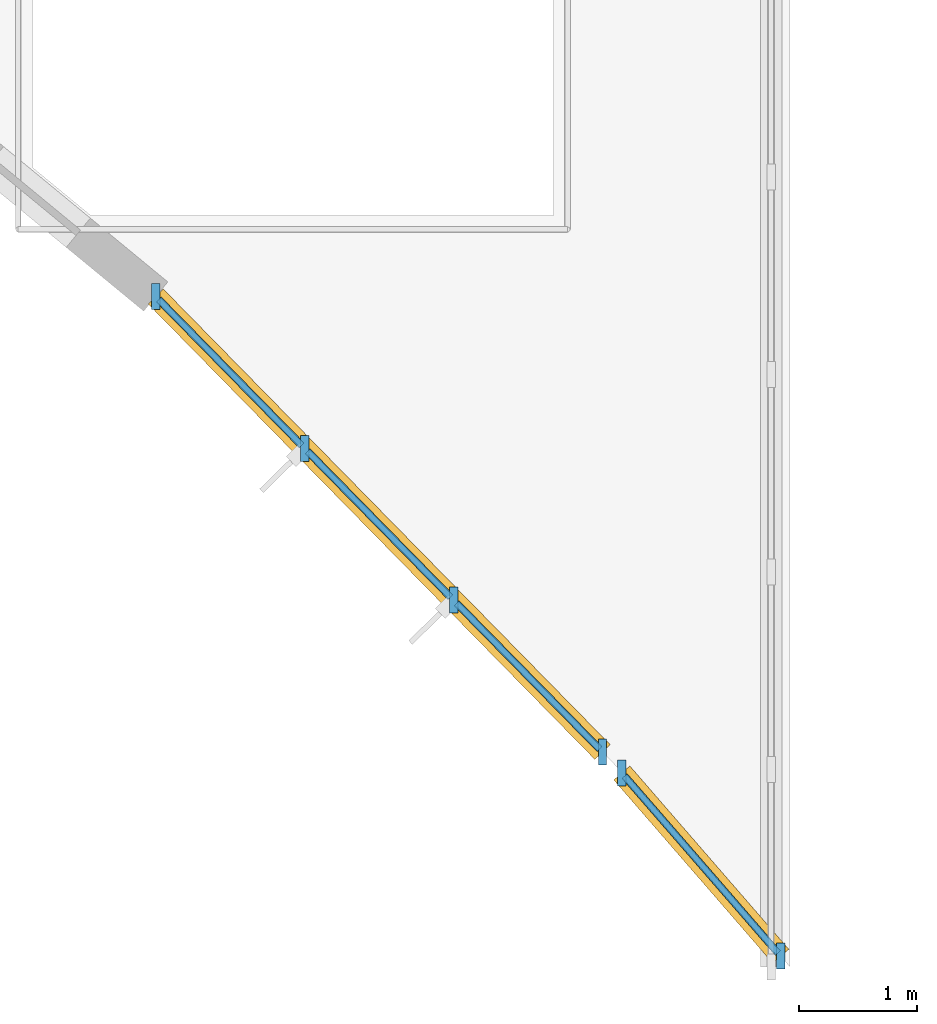
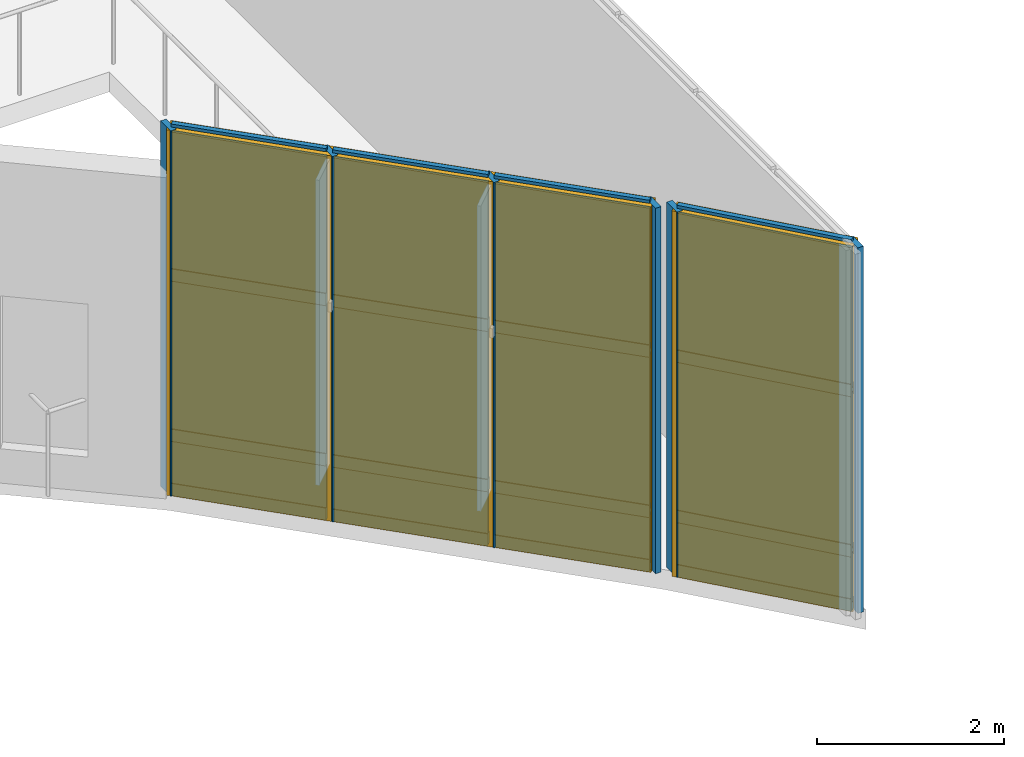
# One storey, part 76 of 104: 22 members, 12 plates, 2 curtain walls.
"""IFC4 building model written with IfcOpenShell, lengths in metres."""

from ifc_helpers import new_model, si_unit, direction, frame, frame_2d, origin, origin_2d, place, context, subcontext, project, spatial, rectangle, extrude, material, layer, layer_set, material_profile, profile_set, type_object, element, aggregate, save


model = new_model("IFC4")

# Units and contexts
model_context = context("Model", 3, precision=1e-05, world=origin(), true_north=direction((0.0, 1.0)))
body_context = subcontext(model_context, "Body", "Model", "MODEL_VIEW")
ifc_project = project(units=[si_unit("LENGTHUNIT", "METRE"), si_unit("AREAUNIT", "SQUARE_METRE"), si_unit("VOLUMEUNIT", "CUBIC_METRE"), si_unit("PLANEANGLEUNIT", "RADIAN"), si_unit("MASSUNIT", "GRAM", prefix="KILO")], contexts=[model_context])

# Member
ifc_material_1 = material(Name="Anodised Bronze Aluminium 6063-T6", Category="aluminium")
ifc_material_profile_1 = material_profile(ifc_material_1, rectangle(XDim=0.070068359375, YDim=0.219970703125, at=origin_2d()), Name="ALU MULLION 70x220")
ifc_profile_set_1 = profile_set([ifc_material_profile_1], Name="Anodised Bronze Aluminium 6063-T6")
member_type_1 = type_object("IfcMemberType", Name="Curtain-Wall Heavy Mullion 70x220", PredefinedType="MULLION", material=ifc_profile_set_1)
site_placement = place(None, origin())
building_placement = place(site_placement, origin())
storey_placement = place(building_placement, frame((0.0, 0.0, 9.0)))
member_1_placement = place(storey_placement, frame((111.641845703125, 7.11328125, 0.0), z_axis=(0.0, 0.0, 1.0), x_axis=(1.0, 0.0, 0.0)))
member_1 = element("IfcMember", 1, at=member_1_placement, type_object=member_type_1, Name="Mullion CWM-02 CW-V5-CRN-L02-C17-M01", PredefinedType="MULLION", context=body_context, shape_type="SweptSolid", body=[
    extrude(rectangle(XDim=0.070068359375, YDim=0.219970703125, at=origin_2d()), origin(), (0.0, 0.0, 1.0), 4.780029296875),
])

member_2_placement = place(storey_placement, frame((112.89990234375, 5.830810546875, 0.0), z_axis=(0.0, 0.0, 1.0), x_axis=(1.0, 0.0, 0.0)))
member_2 = element("IfcMember", 2, at=member_2_placement, type_object=member_type_1, Name="Mullion CWM-02 CW-V5-CRN-L02-C17-M02", PredefinedType="MULLION", context=body_context, shape_type="SweptSolid", body=[
    extrude(rectangle(XDim=0.070068359375, YDim=0.219970703125, at=origin_2d()), origin(), (0.0, 0.0, 1.0), 4.780029296875),
])

member_3_placement = place(storey_placement, frame((114.157958984375, 4.548095703125, 0.0), z_axis=(0.0, 0.0, 1.0), x_axis=(1.0, 0.0, 0.0)))
member_3 = element("IfcMember", 3, at=member_3_placement, type_object=member_type_1, Name="Mullion CWM-02 CW-V5-CRN-L02-C17-M03", PredefinedType="MULLION", context=body_context, shape_type="SweptSolid", body=[
    extrude(rectangle(XDim=0.070068359375, YDim=0.219970703125, at=origin_2d()), origin(), (0.0, 0.0, 1.0), 4.780029296875),
])

member_4_placement = place(storey_placement, frame((115.416015625, 3.265380859375, 0.0), z_axis=(0.0, 0.0, 1.0), x_axis=(1.0, 0.0, 0.0)))
member_4 = element("IfcMember", 4, at=member_4_placement, type_object=member_type_1, Name="Mullion CWM-02 CW-V5-CRN-L02-C17-M04", PredefinedType="MULLION", context=body_context, shape_type="SweptSolid", body=[
    extrude(rectangle(XDim=0.070068359375, YDim=0.219970703125, at=origin_2d()), origin(), (0.0, 0.0, 1.0), 4.780029296875),
])

member_5_placement = place(storey_placement, frame((115.57861328125, 3.089111328125, 0.0), z_axis=(0.0, 0.0, 1.0), x_axis=(1.0, 0.0, 0.0)))
member_5 = element("IfcMember", 5, at=member_5_placement, type_object=member_type_1, Name="Mullion CWM-02 CW-V5-CRN-L02-C18-M01", PredefinedType="MULLION", context=body_context, shape_type="SweptSolid", body=[
    extrude(rectangle(XDim=0.070068359375, YDim=0.219970703125, at=origin_2d()), origin(), (0.0, 0.0, 1.0), 4.780029296875),
])

member_6_placement = place(storey_placement, frame((116.92138671875, 1.540771484375, 0.0), z_axis=(0.0, 0.0, 1.0), x_axis=(1.0, 0.0, 0.0)))
member_6 = element("IfcMember", 6, at=member_6_placement, type_object=member_type_1, Name="Mullion CWM-02 CW-V5-CRN-L02-C18-M02", PredefinedType="MULLION", context=body_context, shape_type="SweptSolid", body=[
    extrude(rectangle(XDim=0.070068359375, YDim=0.219970703125, at=origin_2d()), origin(), (0.0, 0.0, 1.0), 4.780029296875),
])

ifc_material_profile_2 = material_profile(ifc_material_1, rectangle(XDim=0.06005859375, YDim=0.159912109375, at=origin_2d()), Name="ALU TRANSOM 60x160")
ifc_profile_set_2 = profile_set([ifc_material_profile_2], Name="Anodised Bronze Aluminium 6063-T6")
member_type_2 = type_object("IfcMemberType", Name="Curtain-Wall Heavy Transom 60x160", PredefinedType="USERDEFINED", material=ifc_profile_set_2)
member_7_placement = place(storey_placement, frame((111.666259765625, 7.08837890625, 0.0400390625), z_axis=(0.700287657852, -0.713860768119, 0.0), x_axis=(0.713860768119, 0.700287657852, 0.0)))
member_7 = element("IfcMember", 7, at=member_7_placement, type_object=member_type_2, Name="Transom CWT-02 CW-V5-CRN-L02-C17-T01.1", ObjectType="TRANSOM", PredefinedType="USERDEFINED", context=body_context, shape_type="SweptSolid", body=[
    extrude(rectangle(XDim=0.06005859375, YDim=0.159912109375, at=origin_2d()), origin(), (0.0, 0.0, 1.0), 1.726806640625),
])

member_8_placement = place(storey_placement, frame((111.666259765625, 7.08837890625, 0.75), z_axis=(0.700287657852, -0.713860768119, 0.0), x_axis=(0.713860768119, 0.700287657852, 0.0)))
member_8 = element("IfcMember", 8, at=member_8_placement, type_object=member_type_2, Name="Transom CWT-02 CW-V5-CRN-L02-C17-T01.2", ObjectType="TRANSOM", PredefinedType="USERDEFINED", context=body_context, shape_type="SweptSolid", body=[
    extrude(rectangle(XDim=0.06005859375, YDim=0.159912109375, at=origin_2d()), origin(), (0.0, 0.0, 1.0), 1.726806640625),
])

member_9_placement = place(storey_placement, frame((111.666259765625, 7.08837890625, 2.845703125), z_axis=(0.700287657852, -0.713860768119, 0.0), x_axis=(0.713860768119, 0.700287657852, 0.0)))
member_9 = element("IfcMember", 9, at=member_9_placement, type_object=member_type_2, Name="Transom CWT-02 CW-V5-CRN-L02-C17-T01.3", ObjectType="TRANSOM", PredefinedType="USERDEFINED", context=body_context, shape_type="SweptSolid", body=[
    extrude(rectangle(XDim=0.06005859375, YDim=0.159912109375, at=origin_2d()), origin(), (0.0, 0.0, 1.0), 1.726806640625),
])

member_10_placement = place(storey_placement, frame((111.666259765625, 7.08837890625, 4.739990234375), z_axis=(0.700287657852, -0.713860768119, 0.0), x_axis=(0.713860768119, 0.700287657852, 0.0)))
member_10 = element("IfcMember", 10, at=member_10_placement, type_object=member_type_2, Name="Transom CWT-02 CW-V5-CRN-L02-C17-T01.4", ObjectType="TRANSOM", PredefinedType="USERDEFINED", context=body_context, shape_type="SweptSolid", body=[
    extrude(rectangle(XDim=0.06005859375, YDim=0.159912109375, at=origin_2d()), origin(), (0.0, 0.0, 1.0), 1.726806640625),
])

member_11_placement = place(storey_placement, frame((112.92431640625, 5.8056640625, 0.0400390625), z_axis=(0.700215596953, -0.71393145174, 0.0), x_axis=(0.71393145174, 0.700215596953, 0.0)))
member_11 = element("IfcMember", 11, at=member_11_placement, type_object=member_type_2, Name="Transom CWT-02 CW-V5-CRN-L02-C17-T02.1", ObjectType="TRANSOM", PredefinedType="USERDEFINED", context=body_context, shape_type="SweptSolid", body=[
    extrude(rectangle(XDim=0.06005859375, YDim=0.159912109375, at=origin_2d()), origin(), (0.0, 0.0, 1.0), 1.7265625),
])

member_12_placement = place(storey_placement, frame((112.92431640625, 5.8056640625, 0.75), z_axis=(0.700215596953, -0.71393145174, 0.0), x_axis=(0.71393145174, 0.700215596953, 0.0)))
member_12 = element("IfcMember", 12, at=member_12_placement, type_object=member_type_2, Name="Transom CWT-02 CW-V5-CRN-L02-C17-T02.2", ObjectType="TRANSOM", PredefinedType="USERDEFINED", context=body_context, shape_type="SweptSolid", body=[
    extrude(rectangle(XDim=0.06005859375, YDim=0.159912109375, at=origin_2d()), origin(), (0.0, 0.0, 1.0), 1.7265625),
])

member_13_placement = place(storey_placement, frame((112.92431640625, 5.8056640625, 2.845703125), z_axis=(0.700215596953, -0.71393145174, 0.0), x_axis=(0.71393145174, 0.700215596953, 0.0)))
member_13 = element("IfcMember", 13, at=member_13_placement, type_object=member_type_2, Name="Transom CWT-02 CW-V5-CRN-L02-C17-T02.3", ObjectType="TRANSOM", PredefinedType="USERDEFINED", context=body_context, shape_type="SweptSolid", body=[
    extrude(rectangle(XDim=0.06005859375, YDim=0.159912109375, at=origin_2d()), origin(), (0.0, 0.0, 1.0), 1.7265625),
])

member_14_placement = place(storey_placement, frame((112.92431640625, 5.8056640625, 4.739990234375), z_axis=(0.700215596953, -0.71393145174, 0.0), x_axis=(0.71393145174, 0.700215596953, 0.0)))
member_14 = element("IfcMember", 14, at=member_14_placement, type_object=member_type_2, Name="Transom CWT-02 CW-V5-CRN-L02-C17-T02.4", ObjectType="TRANSOM", PredefinedType="USERDEFINED", context=body_context, shape_type="SweptSolid", body=[
    extrude(rectangle(XDim=0.06005859375, YDim=0.159912109375, at=origin_2d()), origin(), (0.0, 0.0, 1.0), 1.7265625),
])

member_15_placement = place(storey_placement, frame((114.182373046875, 4.523193359375, 0.0400390625), z_axis=(0.700287657852, -0.713860768119, 0.0), x_axis=(0.713860768119, 0.700287657852, 0.0)))
member_15 = element("IfcMember", 15, at=member_15_placement, type_object=member_type_2, Name="Transom CWT-02 CW-V5-CRN-L02-C17-T03.1", ObjectType="TRANSOM", PredefinedType="USERDEFINED", context=body_context, shape_type="SweptSolid", body=[
    extrude(rectangle(XDim=0.06005859375, YDim=0.159912109375, at=origin_2d()), origin(), (0.0, 0.0, 1.0), 1.726806640625),
])

member_16_placement = place(storey_placement, frame((114.182373046875, 4.523193359375, 0.75), z_axis=(0.700287657852, -0.713860768119, 0.0), x_axis=(0.713860768119, 0.700287657852, 0.0)))
member_16 = element("IfcMember", 16, at=member_16_placement, type_object=member_type_2, Name="Transom CWT-02 CW-V5-CRN-L02-C17-T03.2", ObjectType="TRANSOM", PredefinedType="USERDEFINED", context=body_context, shape_type="SweptSolid", body=[
    extrude(rectangle(XDim=0.06005859375, YDim=0.159912109375, at=origin_2d()), origin(), (0.0, 0.0, 1.0), 1.726806640625),
])

member_17_placement = place(storey_placement, frame((114.182373046875, 4.523193359375, 2.845703125), z_axis=(0.700287657852, -0.713860768119, 0.0), x_axis=(0.713860768119, 0.700287657852, 0.0)))
member_17 = element("IfcMember", 17, at=member_17_placement, type_object=member_type_2, Name="Transom CWT-02 CW-V5-CRN-L02-C17-T03.3", ObjectType="TRANSOM", PredefinedType="USERDEFINED", context=body_context, shape_type="SweptSolid", body=[
    extrude(rectangle(XDim=0.06005859375, YDim=0.159912109375, at=origin_2d()), origin(), (0.0, 0.0, 1.0), 1.726806640625),
])

member_18_placement = place(storey_placement, frame((114.182373046875, 4.523193359375, 4.739990234375), z_axis=(0.700287657852, -0.713860768119, 0.0), x_axis=(0.713860768119, 0.700287657852, 0.0)))
member_18 = element("IfcMember", 18, at=member_18_placement, type_object=member_type_2, Name="Transom CWT-02 CW-V5-CRN-L02-C17-T03.4", ObjectType="TRANSOM", PredefinedType="USERDEFINED", context=body_context, shape_type="SweptSolid", body=[
    extrude(rectangle(XDim=0.06005859375, YDim=0.159912109375, at=origin_2d()), origin(), (0.0, 0.0, 1.0), 1.726806640625),
])

member_19_placement = place(storey_placement, frame((115.6015625, 3.062744140625, 0.0400390625), z_axis=(0.655127718536, -0.755518148297, 0.0), x_axis=(0.755518148297, 0.655127718536, 0.0)))
member_19 = element("IfcMember", 19, at=member_19_placement, type_object=member_type_2, Name="Transom CWT-02 CW-V5-CRN-L02-C18-T01.1", ObjectType="TRANSOM", PredefinedType="USERDEFINED", context=body_context, shape_type="SweptSolid", body=[
    extrude(rectangle(XDim=0.06005859375, YDim=0.159912109375, at=origin_2d()), origin(), (0.0, 0.0, 1.0), 1.9794921875),
])

member_20_placement = place(storey_placement, frame((115.6015625, 3.062744140625, 0.75), z_axis=(0.655127718536, -0.755518148297, 0.0), x_axis=(0.755518148297, 0.655127718536, 0.0)))
member_20 = element("IfcMember", 20, at=member_20_placement, type_object=member_type_2, Name="Transom CWT-02 CW-V5-CRN-L02-C18-T01.2", ObjectType="TRANSOM", PredefinedType="USERDEFINED", context=body_context, shape_type="SweptSolid", body=[
    extrude(rectangle(XDim=0.06005859375, YDim=0.159912109375, at=origin_2d()), origin(), (0.0, 0.0, 1.0), 1.9794921875),
])

member_21_placement = place(storey_placement, frame((115.6015625, 3.062744140625, 2.845703125), z_axis=(0.655127718536, -0.755518148297, 0.0), x_axis=(0.755518148297, 0.655127718536, 0.0)))
member_21 = element("IfcMember", 21, at=member_21_placement, type_object=member_type_2, Name="Transom CWT-02 CW-V5-CRN-L02-C18-T01.3", ObjectType="TRANSOM", PredefinedType="USERDEFINED", context=body_context, shape_type="SweptSolid", body=[
    extrude(rectangle(XDim=0.06005859375, YDim=0.159912109375, at=origin_2d()), origin(), (0.0, 0.0, 1.0), 1.9794921875),
])

member_22_placement = place(storey_placement, frame((115.6015625, 3.062744140625, 4.739990234375), z_axis=(0.655127718536, -0.755518148297, 0.0), x_axis=(0.755518148297, 0.655127718536, 0.0)))
member_22 = element("IfcMember", 22, at=member_22_placement, type_object=member_type_2, Name="Transom CWT-02 CW-V5-CRN-L02-C18-T01.4", ObjectType="TRANSOM", PredefinedType="USERDEFINED", context=body_context, shape_type="SweptSolid", body=[
    extrude(rectangle(XDim=0.06005859375, YDim=0.159912109375, at=origin_2d()), origin(), (0.0, 0.0, 1.0), 1.9794921875),
])

# Plate
ifc_material_2 = material(Name="Double Low-E Acoustic Laminated Glass", Category="glass")
ifc_layer_1 = layer(ifc_material_2, 0.0439453125, Name="Double Low-E Acoustic Laminated Glass")
ifc_layer_set_1 = layer_set([ifc_layer_1], Name="Double Low-E Acoustic Laminated Glass")
plate_type_1 = type_object("IfcPlateType", Name="Acoustic Laminated Low-E Glazing Unit 44", PredefinedType="CURTAIN_PANEL", material=ifc_layer_set_1)
plate_1_placement = place(storey_placement, frame((112.270751953125, 6.471923828125, 0.780029296875), z_axis=(0.0, 0.0, 1.0), x_axis=(0.700246698398, -0.713900946479, 0.0)))
plate_1 = element("IfcPlate", 23, at=plate_1_placement, type_object=plate_type_1, Name="Curtain Panel CWP-01 CW-V5-CRN-L02-C17-P01.2", PredefinedType="CURTAIN_PANEL", context=body_context, shape_type="SweptSolid", body=[
    extrude(rectangle(XDim=1.7265625, YDim=0.0439453125, at=origin_2d()), origin(), (0.0, 0.0, 1.0), 2.03564453125),
])

plate_2_placement = place(storey_placement, frame((112.270751953125, 6.471923828125, 2.87548828125), z_axis=(0.0, 0.0, 1.0), x_axis=(0.700246698398, -0.713900946479, 0.0)))
plate_2 = element("IfcPlate", 24, at=plate_2_placement, type_object=plate_type_1, Name="Curtain Panel CWP-01 CW-V5-CRN-L02-C17-P01.3", PredefinedType="CURTAIN_PANEL", context=body_context, shape_type="SweptSolid", body=[
    extrude(rectangle(XDim=1.7265625, YDim=0.0439453125, at=origin_2d()), origin(), (0.0, 0.0, 1.0), 1.83447265625),
])

plate_3_placement = place(storey_placement, frame((113.52880859375, 5.189453125, 0.780029296875), z_axis=(0.0, 0.0, 1.0), x_axis=(0.700246698398, -0.713900946479, 0.0)))
plate_3 = element("IfcPlate", 25, at=plate_3_placement, type_object=plate_type_1, Name="Curtain Panel CWP-01 CW-V5-CRN-L02-C17-P02.2", PredefinedType="CURTAIN_PANEL", context=body_context, shape_type="SweptSolid", body=[
    extrude(rectangle(XDim=1.7265625, YDim=0.0439453125, at=origin_2d()), origin(), (0.0, 0.0, 1.0), 2.03564453125),
])

plate_4_placement = place(storey_placement, frame((113.52880859375, 5.189453125, 2.87548828125), z_axis=(0.0, 0.0, 1.0), x_axis=(0.700246698398, -0.713900946479, 0.0)))
plate_4 = element("IfcPlate", 26, at=plate_4_placement, type_object=plate_type_1, Name="Curtain Panel CWP-01 CW-V5-CRN-L02-C17-P02.3", PredefinedType="CURTAIN_PANEL", context=body_context, shape_type="SweptSolid", body=[
    extrude(rectangle(XDim=1.7265625, YDim=0.0439453125, at=origin_2d()), origin(), (0.0, 0.0, 1.0), 1.83447265625),
])

plate_5_placement = place(storey_placement, frame((114.787109375, 3.90673828125, 0.780029296875), z_axis=(0.0, 0.0, 1.0), x_axis=(0.700246698398, -0.713900946479, 0.0)))
plate_5 = element("IfcPlate", 27, at=plate_5_placement, type_object=plate_type_1, Name="Curtain Panel CWP-01 CW-V5-CRN-L02-C17-P03.2", PredefinedType="CURTAIN_PANEL", context=body_context, shape_type="SweptSolid", body=[
    extrude(rectangle(XDim=1.7265625, YDim=0.0439453125, at=origin_2d()), origin(), (0.0, 0.0, 1.0), 2.03564453125),
])

plate_6_placement = place(storey_placement, frame((114.787109375, 3.90673828125, 2.87548828125), z_axis=(0.0, 0.0, 1.0), x_axis=(0.700246698398, -0.713900946479, 0.0)))
plate_6 = element("IfcPlate", 28, at=plate_6_placement, type_object=plate_type_1, Name="Curtain Panel CWP-01 CW-V5-CRN-L02-C17-P03.3", PredefinedType="CURTAIN_PANEL", context=body_context, shape_type="SweptSolid", body=[
    extrude(rectangle(XDim=1.7265625, YDim=0.0439453125, at=origin_2d()), origin(), (0.0, 0.0, 1.0), 1.83447265625),
])

plate_7_placement = place(storey_placement, frame((116.25, 2.31494140625, 0.780029296875), z_axis=(0.0, 0.0, 1.0), x_axis=(0.655168134077, -0.755483101128, 0.0)))
plate_7 = element("IfcPlate", 29, at=plate_7_placement, type_object=plate_type_1, Name="Curtain Panel CWP-01 CW-V5-CRN-L02-C18-P01.2", PredefinedType="CURTAIN_PANEL", context=body_context, shape_type="SweptSolid", body=[
    extrude(rectangle(XDim=1.9794921875, YDim=0.0439453125, at=origin_2d()), origin(), (0.0, 0.0, 1.0), 2.03564453125),
])

plate_8_placement = place(storey_placement, frame((116.25, 2.31494140625, 2.87548828125), z_axis=(0.0, 0.0, 1.0), x_axis=(0.655168134077, -0.755483101128, 0.0)))
plate_8 = element("IfcPlate", 30, at=plate_8_placement, type_object=plate_type_1, Name="Curtain Panel CWP-01 CW-V5-CRN-L02-C18-P01.3", PredefinedType="CURTAIN_PANEL", context=body_context, shape_type="SweptSolid", body=[
    extrude(rectangle(XDim=1.9794921875, YDim=0.0439453125, at=origin_2d()), origin(), (0.0, 0.0, 1.0), 1.83447265625),
])

ifc_material_3 = material(Name="Ceramic-Fritted Tempered Laminated Glass", Category="glass")
ifc_layer_2 = layer(ifc_material_3, 0.0458984375, Name="Ceramic-Fritted Tempered Laminated Glass")
ifc_layer_set_2 = layer_set([ifc_layer_2], Name="Ceramic-Fritted Tempered Laminated Glass")
plate_type_2 = type_object("IfcPlateType", Name="Ceramic-Frit Acoustic Spandrel Glazing 46", PredefinedType="CURTAIN_PANEL", material=ifc_layer_set_2)
plate_9_placement = place(storey_placement, frame((112.270751953125, 6.471923828125, 0.070068359375), z_axis=(0.0, 0.0, 1.0), x_axis=(0.700246698398, -0.713900946479, 0.0)))
plate_9 = element("IfcPlate", 31, at=plate_9_placement, type_object=plate_type_2, Name="Curtain Panel CWP-04 CW-V5-CRN-L02-C17-P01.1", PredefinedType="CURTAIN_PANEL", context=body_context, shape_type="SweptSolid", body=[
    extrude(rectangle(XDim=1.7265625, YDim=0.0458984375, at=origin_2d()), origin(), (0.0, 0.0, 1.0), 0.64990234375),
])

plate_10_placement = place(storey_placement, frame((113.52880859375, 5.189453125, 0.070068359375), z_axis=(0.0, 0.0, 1.0), x_axis=(0.700246698398, -0.713900946479, 0.0)))
plate_10 = element("IfcPlate", 32, at=plate_10_placement, type_object=plate_type_2, Name="Curtain Panel CWP-04 CW-V5-CRN-L02-C17-P02.1", PredefinedType="CURTAIN_PANEL", context=body_context, shape_type="SweptSolid", body=[
    extrude(rectangle(XDim=1.7265625, YDim=0.0458984375, at=origin_2d()), origin(), (0.0, 0.0, 1.0), 0.64990234375),
])

plate_11_placement = place(storey_placement, frame((114.787109375, 3.90673828125, 0.070068359375), z_axis=(0.0, 0.0, 1.0), x_axis=(0.700246698398, -0.713900946479, 0.0)))
plate_11 = element("IfcPlate", 33, at=plate_11_placement, type_object=plate_type_2, Name="Curtain Panel CWP-04 CW-V5-CRN-L02-C17-P03.1", PredefinedType="CURTAIN_PANEL", context=body_context, shape_type="SweptSolid", body=[
    extrude(rectangle(XDim=1.7265625, YDim=0.0458984375, at=origin_2d()), origin(), (0.0, 0.0, 1.0), 0.64990234375),
])

plate_12_placement = place(storey_placement, frame((116.25, 2.31494140625, 0.070068359375), z_axis=(0.0, 0.0, 1.0), x_axis=(0.655168134077, -0.755483101128, 0.0)))
plate_12 = element("IfcPlate", 34, at=plate_12_placement, type_object=plate_type_2, Name="Curtain Panel CWP-04 CW-V5-CRN-L02-C18-P01.1", PredefinedType="CURTAIN_PANEL", context=body_context, shape_type="SweptSolid", body=[
    extrude(rectangle(XDim=1.9794921875, YDim=0.0458984375, at=origin_2d()), origin(), (0.0, 0.0, 1.0), 0.64990234375),
])

# Site, building, storey
site = spatial("IfcSite", under=ifc_project, at=site_placement, CompositionType="ELEMENT")
building = spatial("IfcBuilding", under=site, at=building_placement, Name="Tazoul Stagehouse", CompositionType="ELEMENT")
storey = spatial("IfcBuildingStorey", under=building, at=storey_placement, Name="L02", CompositionType="ELEMENT", Elevation=9.0)

# Curtain wall
curtain_wall_type = type_object("IfcCurtainWallType", Name="Crescent Double-Skin Acoustic Curtain Wall", PredefinedType="NOTDEFINED", material=ifc_material_1)
curtain_wall_1_placement = place(storey_placement, frame((111.641845703125, 7.11328125, 0.0), z_axis=(0.0, 0.0, 1.0), x_axis=(0.700233974264, -0.713913427025, 0.0)))
curtain_wall_1 = element("IfcCurtainWall", 35, at=curtain_wall_1_placement, inside=storey, type_object=curtain_wall_type, Name="L02 Curtain Wall CW-01 (CW-V5-CRN-L02-C17)", PredefinedType="NOTDEFINED", context=body_context, shape_type="SweptSolid", body=[
    extrude(rectangle(XDim=5.389892578125, YDim=0.179931640625, at=frame_2d((2.69482421875, 0.0))), origin(), (0.0, 0.0, 1.0), 4.780029296875),
])

aggregate(curtain_wall_1, [member_1, member_2, member_3, member_4, member_7, member_8, member_9, member_10, plate_9, plate_1, plate_2, member_11, member_12, member_13, member_14, plate_10, plate_3, plate_4, member_15, member_16, member_17, member_18, plate_11, plate_5, plate_6])

curtain_wall_2_placement = place(storey_placement, frame((115.57861328125, 3.089111328125, 0.0), z_axis=(0.0, 0.0, 1.0), x_axis=(0.655175401154, -0.755476798931, 0.0)))
curtain_wall_2 = element("IfcCurtainWall", 36, at=curtain_wall_2_placement, inside=storey, type_object=curtain_wall_type, Name="L02 Curtain Wall CW-01 (CW-V5-CRN-L02-C18)", PredefinedType="NOTDEFINED", context=body_context, shape_type="SweptSolid", body=[
    extrude(rectangle(XDim=2.049560546875, YDim=0.179931640625, at=frame_2d((1.02490234375, 0.0))), origin(), (0.0, 0.0, 1.0), 4.780029296875),
])

aggregate(curtain_wall_2, [member_5, member_6, member_19, member_20, member_21, member_22, plate_12, plate_7, plate_8])

save(model, "model.ifc")
